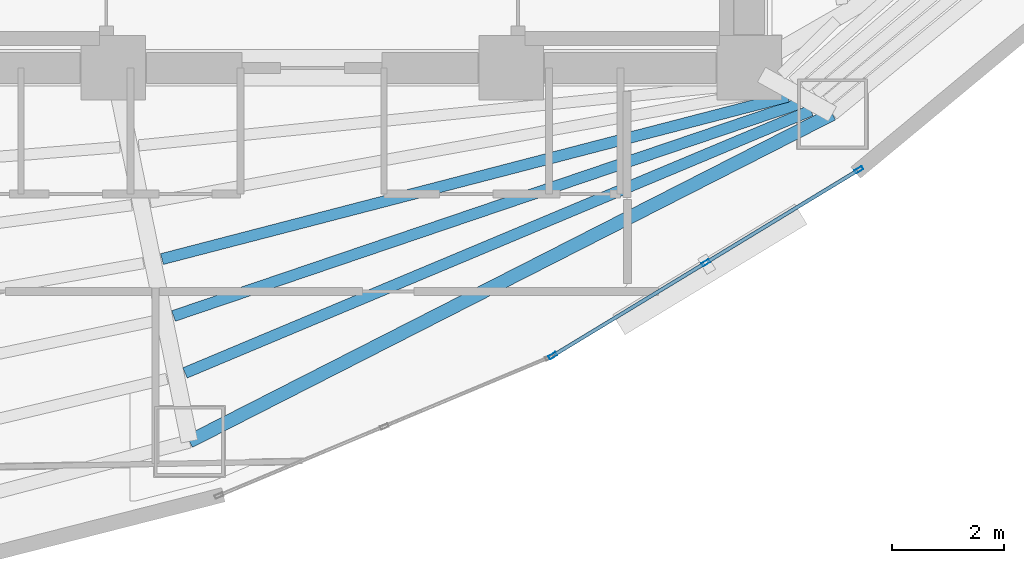
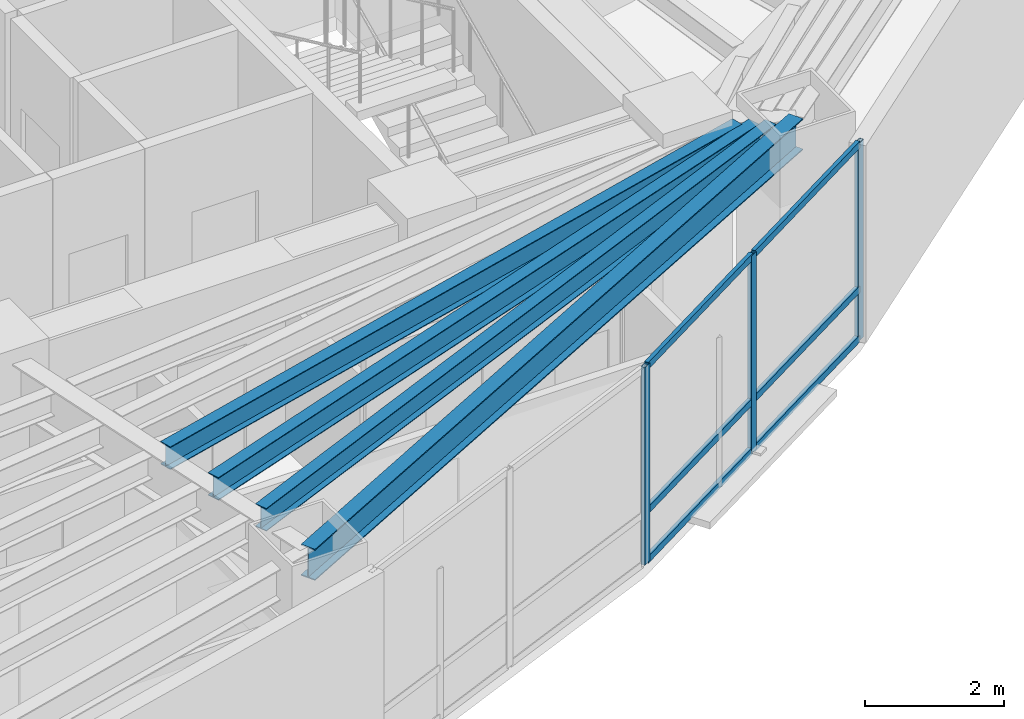
# One storey, part 5 of 19: 9 members, 4 beams, 1 element without a shape of its own.
"""IFC4 building model written with IfcOpenShell, lengths in metres."""

import ifcopenshell
import ifcopenshell.guid

model = None  # the IFC model being written
_history = None  # IfcOwnerHistory: only IFC2X3 demands one
_inside = {}  # id of a spatial element -> (the spatial element, [elements in it])
_under = {}  # id of a project, library or spatial element -> (it, [spatial elements below it])
_declared = {}  # id of a project -> (the project, [libraries it declares])
_typed = {}  # id of a type object -> (the type object, [elements of that type])
_made_of = {}  # id of a material, layer set ... -> (it, [elements and type objects made of it])


def new_model(schema):
    """Start an empty IFC model of exactly this schema.

    Asked for "IFC4X3", IfcOpenShell would pick the latest addendum, in which some entities
    have other attributes; the version numbers below select the first issue.
    IFC2X3 requires an IfcOwnerHistory on every rooted entity: one is made here for all.
    """
    global model, _history
    if schema == "IFC4X3":
        model = ifcopenshell.file(schema_version=(4, 3, 0, 0))
    else:
        model = ifcopenshell.file(schema=schema)
    _inside.clear()
    _under.clear()
    _declared.clear()
    _typed.clear()
    _made_of.clear()
    _history = None
    if model.schema == "IFC2X3":
        org = make("IfcOrganization", Name="unknown")
        user = make(
            "IfcPersonAndOrganization",
            ThePerson=make("IfcPerson", FamilyName="unknown"),
            TheOrganization=org,
        )
        app = make(
            "IfcApplication",
            ApplicationDeveloper=org,
            Version="unknown",
            ApplicationFullName="unknown",
            ApplicationIdentifier="unknown",
        )
        _history = make(
            "IfcOwnerHistory",
            OwningUser=user,
            OwningApplication=app,
            ChangeAction="ADDED",
            CreationDate=0,
        )
    return model


def make(cls, **values):
    """One entity of the class cls with the attributes given. An attribute that is None is left unset."""
    return model.create_entity(
        cls, **{name: value for name, value in values.items() if value is not None}
    )


def rooted(cls, **values):
    """An entity with a GlobalId (a new one), such as an element, a storey or a relation."""
    return make(cls, GlobalId=ifcopenshell.guid.new(), OwnerHistory=_history, **values)


def si_unit(unit_type, name, prefix=None):
    """IfcSIUnit, for example si_unit("LENGTHUNIT", "METRE", prefix="MILLI")."""
    return make("IfcSIUnit", UnitType=unit_type, Prefix=prefix, Name=name)


def assignment(units):
    """IfcUnitAssignment: the units of a project."""
    return None if units is None else make("IfcUnitAssignment", Units=units)


def point(xyz):
    """IfcCartesianPoint."""
    return None if xyz is None else make("IfcCartesianPoint", Coordinates=xyz)


def direction(xyz):
    """IfcDirection."""
    return None if xyz is None else make("IfcDirection", DirectionRatios=xyz)


def frame(location, z_axis=None, x_axis=None):
    """IfcAxis2Placement3D, a coordinate frame: its origin and axes. An axis left out is left unset."""
    return make(
        "IfcAxis2Placement3D",
        Location=point(location),
        Axis=direction(z_axis),
        RefDirection=direction(x_axis),
    )


def frame_2d(location, x_axis=None):
    """IfcAxis2Placement2D, a coordinate frame in the plane: its origin and x axis."""
    return make(
        "IfcAxis2Placement2D", Location=point(location), RefDirection=direction(x_axis)
    )


def origin():
    """The frame at (0, 0, 0) with its axes left unset."""
    return frame((0.0, 0.0, 0.0))


def origin_2d():
    """The frame at (0, 0) in the plane with its x axis left unset."""
    return frame_2d((0.0, 0.0))


def place(relative_to, where):
    """IfcLocalPlacement: puts the frame where relative to a parent placement (None: the world)."""
    return make(
        "IfcLocalPlacement", PlacementRelTo=relative_to, RelativePlacement=where
    )


def context(
    kind, dimensions, precision=None, world=None, true_north=None, identifier=None
):
    """IfcGeometricRepresentationContext, for example the 3D "Model" context."""
    return make(
        "IfcGeometricRepresentationContext",
        ContextIdentifier=identifier,
        ContextType=kind,
        CoordinateSpaceDimension=dimensions,
        Precision=precision,
        WorldCoordinateSystem=world,
        TrueNorth=true_north,
    )


def subcontext(parent, identifier, kind, view, scale=None):
    """IfcGeometricRepresentationSubContext, for example "Body" below "Model"."""
    return make(
        "IfcGeometricRepresentationSubContext",
        ContextIdentifier=identifier,
        ContextType=kind,
        ParentContext=parent,
        TargetScale=scale,
        TargetView=view,
    )


def project(units=None, contexts=None):
    """IfcProject with its units and contexts."""
    return rooted(
        "IfcProject",
        Name="project",
        RepresentationContexts=contexts,
        UnitsInContext=assignment(units),
    )


def spatial(cls, under=None, at=None, **own):
    """A site, building, storey or space (cls), placed at a placement, below another one or the project."""
    s = rooted(cls, ObjectPlacement=at, **own)
    if under is not None:
        _under.setdefault(under.id(), (under, []))[1].append(s)
    return s


def profile(cls, at=None, kind="AREA", **sizes):
    """A parametric profile (cls). Its sizes go by their IFC names, for example OverallWidth=200.0."""
    return make(cls, ProfileType=kind, Position=at, **sizes)


def hollow_rectangle(**sizes):
    """IfcRectangleHollowProfileDef."""
    return profile("IfcRectangleHollowProfileDef", **sizes)


def i_section(**sizes):
    """IfcIShapeProfileDef."""
    return profile("IfcIShapeProfileDef", **sizes)


def extrude(swept, where, along, depth):
    """IfcExtrudedAreaSolid: the profile swept, set in the frame where, extruded along a direction by depth."""
    return make(
        "IfcExtrudedAreaSolid",
        SweptArea=swept,
        Position=where,
        ExtrudedDirection=direction(along),
        Depth=depth,
    )


def shape(context_of_items, identifier, shape_type, items):
    """IfcShapeRepresentation: the items that make up one representation, for example the "Body"."""
    return make(
        "IfcShapeRepresentation",
        ContextOfItems=context_of_items,
        RepresentationIdentifier=identifier,
        RepresentationType=shape_type,
        Items=items,
    )


def material(Name=None, Category=None):
    """IfcMaterial."""
    return make("IfcMaterial", Name=Name, Category=Category)


def layer(
    of_material, thickness, ventilated=None, Name=None, Category=None, Priority=None
):
    """IfcMaterialLayer: one layer of a wall or slab, of a material (None: an air gap)."""
    return make(
        "IfcMaterialLayer",
        Material=of_material,
        LayerThickness=thickness,
        IsVentilated=ventilated,
        Name=Name,
        Category=Category,
        Priority=Priority,
    )


def layer_set(layers, Name=None):
    """IfcMaterialLayerSet."""
    return make("IfcMaterialLayerSet", MaterialLayers=layers, LayerSetName=Name)


def material_profile(
    of_material, cross_section, Name=None, Category=None, Priority=None
):
    """IfcMaterialProfile: a cross section and its material."""
    return make(
        "IfcMaterialProfile",
        Name=Name,
        Material=of_material,
        Profile=cross_section,
        Priority=Priority,
        Category=Category,
    )


def profile_set(profiles, Name=None, composite=None):
    """IfcMaterialProfileSet."""
    return make(
        "IfcMaterialProfileSet",
        Name=Name,
        MaterialProfiles=profiles,
        CompositeProfile=composite,
    )


def made_of(thing, what):
    """Note that an element or type object is made of a material, layer set ...; save() writes the relation."""
    if what is not None:
        _made_of.setdefault(what.id(), (what, []))[1].append(thing)
    return thing


def type_object(cls, material=None, **own):
    """A type object (cls), such as IfcWallType, which elements share."""
    return made_of(rooted(cls, **own), material)


def element(
    cls,
    number,
    at=None,
    inside=None,
    cuts=None,
    type_object=None,
    material=None,
    context=None,
    identifier="Body",
    shape_type=None,
    held_by="IfcProductDefinitionShape",
    body=None,
    shapes=None,
    **own,
):
    """One element of the class cls, such as IfcWall. Its Tag is "e" and its number.

    at: its placement. inside: the storey or other place that contains it. cuts: it is an
    opening in that element (IfcRelVoidsElement). A single representation is given by context,
    identifier, shape_type and body (its items); several are given by shapes. held_by: the class
    of the entity that holds the representations. save() writes the other relations.
    """
    e = rooted(cls, Tag="e%d" % number, ObjectPlacement=at, **own)
    if body is not None:
        shapes = [shape(context, identifier, shape_type, body)]
    if shapes is not None:
        e.Representation = make(held_by, Representations=shapes)
    if inside is not None:
        _inside.setdefault(inside.id(), (inside, []))[1].append(e)
    if cuts is not None:
        rooted(
            "IfcRelVoidsElement", RelatingBuildingElement=cuts, RelatedOpeningElement=e
        )
    if type_object is not None:
        _typed.setdefault(type_object.id(), (type_object, []))[1].append(e)
    return made_of(e, material)


def aggregate(whole, parts):
    """IfcRelAggregates: a whole, such as a stair, and the parts it consists of."""
    return rooted("IfcRelAggregates", RelatingObject=whole, RelatedObjects=parts)


def save(model, path):
    """Write the relations noted so far, then the file.

    IfcRelAggregates (storeys below a building ...), IfcRelContainedInSpatialStructure (elements
    in a storey), IfcRelDefinesByType, IfcRelAssociatesMaterial and IfcRelDeclares: one each for
    every whole, place, type object, material and project.
    """
    for whole, parts in _under.values():
        aggregate(whole, parts)
    for where, things in _inside.values():
        rooted(
            "IfcRelContainedInSpatialStructure",
            RelatedElements=things,
            RelatingStructure=where,
        )
    for kind, things in _typed.values():
        rooted("IfcRelDefinesByType", RelatedObjects=things, RelatingType=kind)
    for what, things in _made_of.values():
        rooted("IfcRelAssociatesMaterial", RelatedObjects=things, RelatingMaterial=what)
    for by, libraries in _declared.values():
        rooted("IfcRelDeclares", RelatingContext=by, RelatedDefinitions=libraries)
    model.write(path)


model = new_model("IFC4")

# Units and contexts
model_context = context("Model", 3, precision=1e-05, world=origin(), true_north=direction((0.0, 1.0)))
body_context = subcontext(model_context, "Body", "Model", "MODEL_VIEW")
ifc_project = project(units=[si_unit("LENGTHUNIT", "METRE"), si_unit("AREAUNIT", "SQUARE_METRE"), si_unit("VOLUMEUNIT", "CUBIC_METRE"), si_unit("PLANEANGLEUNIT", "RADIAN"), si_unit("MASSUNIT", "GRAM", prefix="KILO")], contexts=[model_context])

# Site, building, storey
site_placement = place(None, origin())
site = spatial("IfcSite", under=ifc_project, at=site_placement, CompositionType="ELEMENT")
building_placement = place(site_placement, origin())
building = spatial("IfcBuilding", under=site, at=building_placement, Name="Menara Vayukalpa", CompositionType="ELEMENT")
storey_placement = place(building_placement, frame((0.0, 0.0, 122.580078125)))
storey = spatial("IfcBuildingStorey", under=building, at=storey_placement, Name="L30", CompositionType="ELEMENT", Elevation=122.580078125)

# Beams
ifc_material_1 = material(Name="Steel S355", Category="steel")
ifc_material_profile_1 = material_profile(ifc_material_1, i_section(OverallWidth=0.199951171875, OverallDepth=0.39990234375, WebThickness=0.008056640625, FlangeThickness=0.012939453125, at=origin_2d()), Name="WF 400x200x8x13")
ifc_profile_set_1 = profile_set([ifc_material_profile_1], Name="Steel S355")
beam_type_1 = type_object("IfcBeamType", Name="BM-SJ2", PredefinedType="JOIST", material=ifc_profile_set_1)
beam_1_placement = place(storey_placement, frame((22.918701171875, 13.78662109375, 3.27001953125), z_axis=(0.967921665574, 0.251252162802, 0.0), x_axis=(-0.251252162802, 0.967921665574, 0.0)))
element("IfcBeam", 1, at=beam_1_placement, inside=storey, type_object=beam_type_1, Name="L30 Secondary Floor Joist SJ08-3", PredefinedType="JOIST", context=body_context, shape_type="SweptSolid", body=[
    extrude(i_section(OverallWidth=0.199951171875, OverallDepth=0.39990234375, WebThickness=0.008056640625, FlangeThickness=0.012939453125, at=origin_2d()), origin(), (0.0, 0.0, 1.0), 11.539794921875),
])
beam_2_placement = place(storey_placement, frame((23.12451171875, 12.77099609375, 3.27001953125), z_axis=(0.94694934653, 0.321382848183, 0.0), x_axis=(-0.321382848183, 0.94694934653, 0.0)))
element("IfcBeam", 2, at=beam_2_placement, inside=storey, type_object=beam_type_1, Name="L30 Secondary Floor Joist SJ08-4", PredefinedType="JOIST", context=body_context, shape_type="SweptSolid", body=[
    extrude(i_section(OverallWidth=0.199951171875, OverallDepth=0.39990234375, WebThickness=0.008056640625, FlangeThickness=0.012939453125, at=origin_2d()), origin(), (0.0, 0.0, 1.0), 11.7958984375),
])
beam_3_placement = place(storey_placement, frame((23.32958984375, 11.75439453125, 3.27001953125), z_axis=(0.922216637658, 0.386673600375, 0.0), x_axis=(-0.386673600375, 0.922216637658, 0.0)))
element("IfcBeam", 3, at=beam_3_placement, inside=storey, type_object=beam_type_1, Name="L30 Secondary Floor Joist SJ08-5", PredefinedType="JOIST", context=body_context, shape_type="SweptSolid", body=[
    extrude(i_section(OverallWidth=0.199951171875, OverallDepth=0.39990234375, WebThickness=0.008056640625, FlangeThickness=0.012939453125, at=origin_2d()), origin(), (0.0, 0.0, 1.0), 12.114501953125),
])
ifc_material_2 = material(Name="Steel S355", Category="steel")
ifc_material_profile_2 = material_profile(ifc_material_2, i_section(OverallWidth=0.239990234375, OverallDepth=0.550048828125, WebThickness=0.010986328125, FlangeThickness=0.01904296875, at=origin_2d()), Name="WF 550x240x11x19")
ifc_profile_set_2 = profile_set([ifc_material_profile_2], Name="Steel S355")
beam_type_2 = type_object("IfcBeamType", Name="BM-SP2", PredefinedType="SPANDREL", material=ifc_profile_set_2)
beam_4_placement = place(storey_placement, frame((23.408203125, 10.53271484375, 3.19482421875), z_axis=(0.891097345221, 0.453812209333, 0.0), x_axis=(-0.453812209333, 0.891097345221, 0.0)))
element("IfcBeam", 4, at=beam_4_placement, inside=storey, type_object=beam_type_2, Name="L30 Perimeter Spandrel Beam SP08", PredefinedType="SPANDREL", context=body_context, shape_type="SweptSolid", body=[
    extrude(i_section(OverallWidth=0.239990234375, OverallDepth=0.550048828125, WebThickness=0.010986328125, FlangeThickness=0.01904296875, at=origin_2d()), origin(), (0.0, 0.0, 1.0), 12.88134765625),
])

# Curtain wall, members
ifc_material_3 = material(Name="Anodised Terracotta Aluminium Alloy 6063-T6", Category="masonry")
ifc_layer = layer(ifc_material_3, 0.14990234375)
ifc_layer_set = layer_set([ifc_layer], Name="Anodised Terracotta Aluminium Alloy 6063-T6")
curtain_wall_type = type_object("IfcCurtainWallType", Name="CW-CW3", PredefinedType="USERDEFINED", material=ifc_layer_set)
curtain_wall_placement = place(storey_placement, origin())
curtain_wall = element("IfcCurtainWall", 5, at=curtain_wall_placement, inside=storey, type_object=curtain_wall_type, Name="L30 Mid Rise Terracotta Ribbon Curtain Wall CW3 17", ObjectType="UNITISED", PredefinedType="USERDEFINED")
ifc_material_4 = material(Name="Anodised Terracotta Aluminium Alloy 6063-T6", Category="masonry")
ifc_material_profile_3 = material_profile(ifc_material_4, hollow_rectangle(XDim=0.06494140625, YDim=0.14990234375, WallThickness=0.00341796875, at=origin_2d()), Name="ALU 65x150x3.5")
ifc_profile_set_3 = profile_set([ifc_material_profile_3], Name="Anodised Terracotta Aluminium Alloy 6063-T6")
member_type_1 = type_object("IfcMemberType", Name="CWM-CW3", PredefinedType="MULLION", material=ifc_profile_set_3)
member_1_placement = place(storey_placement, frame((29.8935546875, 12.061767578125, 0.0), z_axis=(0.0, 0.0, 1.0), x_axis=(-0.519182959112, 0.854663123674, 0.0)))
member_1 = element("IfcMember", 6, at=member_1_placement, type_object=member_type_1, Name="CW3 mullion 1", PredefinedType="MULLION", context=body_context, shape_type="SweptSolid", body=[
    extrude(hollow_rectangle(XDim=0.06494140625, YDim=0.14990234375, WallThickness=0.00341796875, at=origin_2d()), origin(), (0.0, 0.0, 1.0), 3.469970703125),
])
member_2_placement = place(storey_placement, frame((32.6259765625, 13.721435546875, 0.0), z_axis=(0.0, 0.0, 1.0), x_axis=(-0.519182959112, 0.854663123674, 0.0)))
member_2 = element("IfcMember", 7, at=member_2_placement, type_object=member_type_1, Name="CW3 mullion 2", PredefinedType="MULLION", context=body_context, shape_type="SweptSolid", body=[
    extrude(hollow_rectangle(XDim=0.06494140625, YDim=0.14990234375, WallThickness=0.00341796875, at=origin_2d()), origin(), (0.0, 0.0, 1.0), 3.469970703125),
])
member_3_placement = place(storey_placement, frame((35.358154296875, 15.38134765625, 0.0), z_axis=(0.0, 0.0, 1.0), x_axis=(-0.519182959112, 0.854663123674, 0.0)))
member_3 = element("IfcMember", 8, at=member_3_placement, type_object=member_type_1, Name="CW3 mullion 3", PredefinedType="MULLION", context=body_context, shape_type="SweptSolid", body=[
    extrude(hollow_rectangle(XDim=0.06494140625, YDim=0.14990234375, WallThickness=0.00341796875, at=origin_2d()), origin(), (0.0, 0.0, 1.0), 3.469970703125),
])
ifc_material_5 = material(Name="Anodised Terracotta Aluminium Alloy 6063-T6", Category="masonry")
ifc_material_profile_4 = material_profile(ifc_material_5, hollow_rectangle(XDim=0.06494140625, YDim=0.1201171875, WallThickness=0.00341796875, at=origin_2d()), Name="ALU 65x120x3.5")
ifc_profile_set_4 = profile_set([ifc_material_profile_4], Name="Anodised Terracotta Aluminium Alloy 6063-T6")
member_type_2 = type_object("IfcMemberType", Name="CWT-CW3", PredefinedType="USERDEFINED", material=ifc_profile_set_4)
member_4_placement = place(storey_placement, frame((29.92138671875, 12.07861328125, 0.032470703125), z_axis=(0.854673871166, 0.519165266506, 0.0), x_axis=(-0.519165266506, 0.854673871166, 0.0)))
member_4 = element("IfcMember", 9, at=member_4_placement, type_object=member_type_2, Name="CW3 transom 1.1", ObjectType="TRANSOM", PredefinedType="USERDEFINED", context=body_context, shape_type="SweptSolid", body=[
    extrude(hollow_rectangle(XDim=0.06494140625, YDim=0.1201171875, WallThickness=0.00341796875, at=origin_2d()), origin(), (0.0, 0.0, 1.0), 3.1318359375),
])
member_5_placement = place(storey_placement, frame((29.92138671875, 12.07861328125, 0.89990234375), z_axis=(0.854673871166, 0.519165266506, 0.0), x_axis=(-0.519165266506, 0.854673871166, 0.0)))
member_5 = element("IfcMember", 10, at=member_5_placement, type_object=member_type_2, Name="CW3 transom 1.2", ObjectType="TRANSOM", PredefinedType="USERDEFINED", context=body_context, shape_type="SweptSolid", body=[
    extrude(hollow_rectangle(XDim=0.06494140625, YDim=0.1201171875, WallThickness=0.00341796875, at=origin_2d()), origin(), (0.0, 0.0, 1.0), 3.1318359375),
])
member_6_placement = place(storey_placement, frame((29.92138671875, 12.07861328125, 3.4375), z_axis=(0.854673871166, 0.519165266506, 0.0), x_axis=(-0.519165266506, 0.854673871166, 0.0)))
member_6 = element("IfcMember", 11, at=member_6_placement, type_object=member_type_2, Name="CW3 transom 1.3", ObjectType="TRANSOM", PredefinedType="USERDEFINED", context=body_context, shape_type="SweptSolid", body=[
    extrude(hollow_rectangle(XDim=0.06494140625, YDim=0.1201171875, WallThickness=0.00341796875, at=origin_2d()), origin(), (0.0, 0.0, 1.0), 3.1318359375),
])
member_7_placement = place(storey_placement, frame((32.65380859375, 13.73828125, 0.032470703125), z_axis=(0.854673871166, 0.519165266506, 0.0), x_axis=(-0.519165266506, 0.854673871166, 0.0)))
member_7 = element("IfcMember", 12, at=member_7_placement, type_object=member_type_2, Name="CW3 transom 2.1", ObjectType="TRANSOM", PredefinedType="USERDEFINED", context=body_context, shape_type="SweptSolid", body=[
    extrude(hollow_rectangle(XDim=0.06494140625, YDim=0.1201171875, WallThickness=0.00341796875, at=origin_2d()), origin(), (0.0, 0.0, 1.0), 3.1318359375),
])
member_8_placement = place(storey_placement, frame((32.65380859375, 13.73828125, 0.89990234375), z_axis=(0.854673871166, 0.519165266506, 0.0), x_axis=(-0.519165266506, 0.854673871166, 0.0)))
member_8 = element("IfcMember", 13, at=member_8_placement, type_object=member_type_2, Name="CW3 transom 2.2", ObjectType="TRANSOM", PredefinedType="USERDEFINED", context=body_context, shape_type="SweptSolid", body=[
    extrude(hollow_rectangle(XDim=0.06494140625, YDim=0.1201171875, WallThickness=0.00341796875, at=origin_2d()), origin(), (0.0, 0.0, 1.0), 3.1318359375),
])
member_9_placement = place(storey_placement, frame((32.65380859375, 13.73828125, 3.4375), z_axis=(0.854673871166, 0.519165266506, 0.0), x_axis=(-0.519165266506, 0.854673871166, 0.0)))
member_9 = element("IfcMember", 14, at=member_9_placement, type_object=member_type_2, Name="CW3 transom 2.3", ObjectType="TRANSOM", PredefinedType="USERDEFINED", context=body_context, shape_type="SweptSolid", body=[
    extrude(hollow_rectangle(XDim=0.06494140625, YDim=0.1201171875, WallThickness=0.00341796875, at=origin_2d()), origin(), (0.0, 0.0, 1.0), 3.1318359375),
])
aggregate(curtain_wall, [member_1, member_2, member_3, member_4, member_5, member_6, member_7, member_8, member_9])

save(model, "model.ifc")
